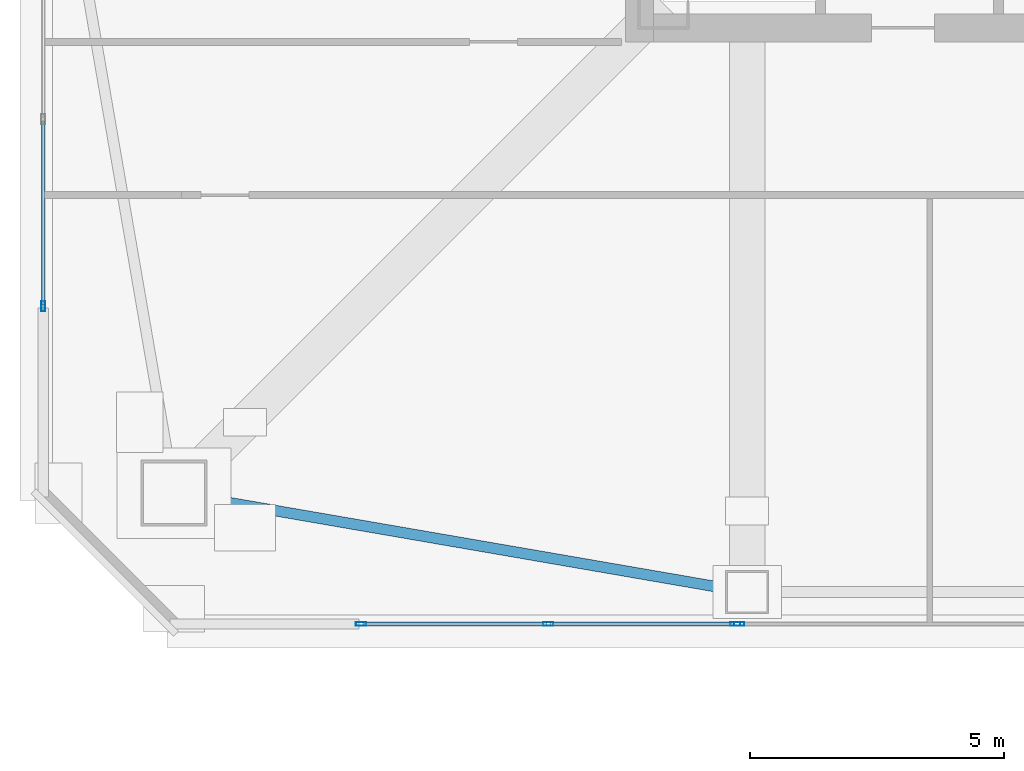
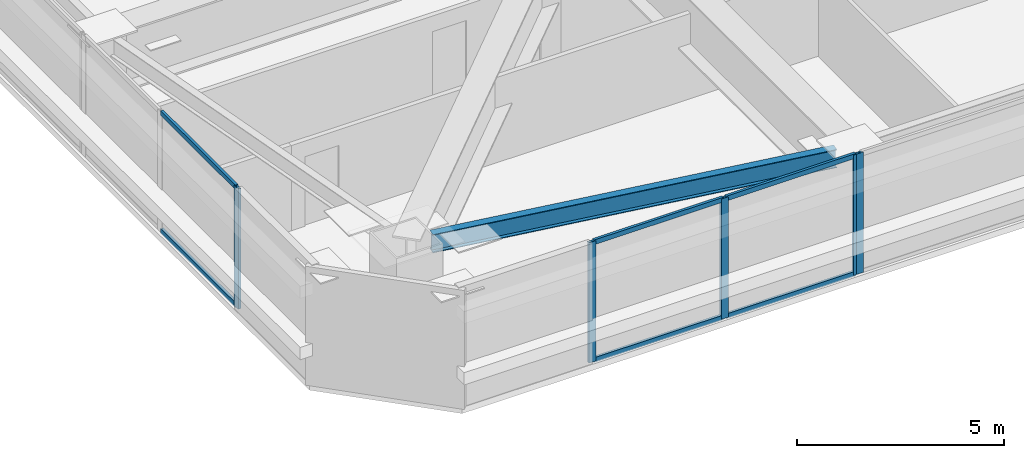
# One storey, part 3 of 42: 11 members, 1 beam, 3 elements without a shape of their own.
"""IFC4 building model written with IfcOpenShell, lengths in metres."""

from ifc_helpers import new_model, si_unit, direction, frame, origin, origin_2d, place, context, subcontext, project, spatial, hollow_rectangle, i_section, extrude, material, material_profile, profile_set, type_object, element, aggregate, save


model = new_model("IFC4")

# Units and contexts
model_context = context("Model", 3, precision=1e-05, world=origin(), true_north=direction((0.0, 1.0)))
body_context = subcontext(model_context, "Body", "Model", "MODEL_VIEW")
ifc_project = project(units=[si_unit("LENGTHUNIT", "METRE"), si_unit("AREAUNIT", "SQUARE_METRE"), si_unit("VOLUMEUNIT", "CUBIC_METRE"), si_unit("PLANEANGLEUNIT", "RADIAN"), si_unit("MASSUNIT", "GRAM", prefix="KILO")], contexts=[model_context])

# Site, building, storey
site_placement = place(None, origin())
site = spatial("IfcSite", under=ifc_project, at=site_placement, CompositionType="ELEMENT")
building_placement = place(site_placement, origin())
building = spatial("IfcBuilding", under=site, at=building_placement, Name="Tashvorn Skyway Center", CompositionType="ELEMENT")
storey_placement = place(building_placement, frame((0.0, 0.0, 153.449951171875)))
storey = spatial("IfcBuildingStorey", under=building, at=storey_placement, Name="L41", CompositionType="ELEMENT", Elevation=153.449951171875)

# Beam
ifc_material_1 = material(Name="Steel ASTM A992 Grade 50", Category="steel")
ifc_material_profile_1 = material_profile(ifc_material_1, i_section(OverallWidth=0.2109375, OverallDepth=0.5390625, WebThickness=0.01171875, FlangeThickness=0.018798828125, at=origin_2d()), Name="W21X73")
ifc_profile_set_1 = profile_set([ifc_material_profile_1], Name="Steel ASTM A992 Grade 50")
beam_type = type_object("IfcBeamType", Name="BM-SPANDREL-W21X73", PredefinedType="SPANDREL", material=ifc_profile_set_1)
beam_placement = place(storey_placement, frame((25.935546875, 15.1904296875, 3.1005859375), z_axis=(0.985432458462, -0.170067250846, 0.0), x_axis=(0.170067250846, 0.985432458462, 0.0)))
element("IfcBeam", 1, at=beam_placement, inside=storey, type_object=beam_type, Name="Tower 1 L41 Spandrel Beam 01", PredefinedType="SPANDREL", context=body_context, shape_type="SweptSolid", body=[
    extrude(i_section(OverallWidth=0.2109375, OverallDepth=0.5390625, WebThickness=0.01171875, FlangeThickness=0.018798828125, at=origin_2d()), origin(), (0.0, 0.0, 1.0), 10.402099609375),
])

# Curtain wall, member
ifc_material_2 = material(Name="Thermally broken bronze-anodized aluminium 6063-T6", Category="aluminium")
curtain_wall_type = type_object("IfcCurtainWallType", Name="CW-CW-Z3", PredefinedType="NOTDEFINED", material=ifc_material_2)
curtain_wall_1_placement = place(storey_placement, origin())
curtain_wall_1 = element("IfcCurtainWall", 2, at=curtain_wall_1_placement, inside=storey, type_object=curtain_wall_type, Name="Tower 1 L41 South Unitised Curtain Wall Glazing Group 2", PredefinedType="NOTDEFINED")
ifc_material_profile_2 = material_profile(ifc_material_2, hollow_rectangle(XDim=0.074951171875, YDim=0.199951171875, WallThickness=0.00439453125, at=origin_2d()), Name="ALU-MULL-75x200")
ifc_profile_set_2 = profile_set([ifc_material_profile_2], Name="Thermally broken bronze-anodized aluminium 6063-T6")
member_type_1 = type_object("IfcMemberType", Name="CWM-CW-Z3", PredefinedType="MULLION", material=ifc_profile_set_2)
member_1_placement = place(storey_placement, frame((36.444091796875, 12.719970703125, 0.0), z_axis=(0.0, 0.0, 1.0), x_axis=(0.0, -1.0, 0.0)))
member_1 = element("IfcMember", 3, at=member_1_placement, type_object=member_type_1, Name="CW-Z3 mullion 2", PredefinedType="MULLION", context=body_context, shape_type="SweptSolid", body=[
    extrude(hollow_rectangle(XDim=0.074951171875, YDim=0.199951171875, WallThickness=0.00439453125, at=origin_2d()), origin(), (0.0, 0.0, 1.0), 3.550048828125),
])
aggregate(curtain_wall_1, [member_1])

# Curtain wall, members
curtain_wall_2_placement = place(storey_placement, origin())
curtain_wall_2 = element("IfcCurtainWall", 4, at=curtain_wall_2_placement, inside=storey, type_object=curtain_wall_type, Name="Tower 1 L41 South Unitised Curtain Wall Glazing Group 3", PredefinedType="NOTDEFINED")
member_2_placement = place(storey_placement, frame((36.369140625, 12.719970703125, 0.0), z_axis=(0.0, 0.0, 1.0), x_axis=(0.0, -1.0, 0.0)))
member_2 = element("IfcMember", 5, at=member_2_placement, type_object=member_type_1, Name="CW-Z3 mullion 1", PredefinedType="MULLION", context=body_context, shape_type="SweptSolid", body=[
    extrude(hollow_rectangle(XDim=0.074951171875, YDim=0.199951171875, WallThickness=0.00439453125, at=origin_2d()), origin(), (0.0, 0.0, 1.0), 3.550048828125),
])
member_3_placement = place(storey_placement, frame((32.677734375, 12.719970703125, 0.0), z_axis=(0.0, 0.0, 1.0), x_axis=(0.0, -1.0, 0.0)))
member_3 = element("IfcMember", 6, at=member_3_placement, type_object=member_type_1, Name="CW-Z3 mullion 2", PredefinedType="MULLION", context=body_context, shape_type="SweptSolid", body=[
    extrude(hollow_rectangle(XDim=0.074951171875, YDim=0.199951171875, WallThickness=0.00439453125, at=origin_2d()), origin(), (0.0, 0.0, 1.0), 3.550048828125),
])
member_4_placement = place(storey_placement, frame((28.986328125, 12.719970703125, 0.0), z_axis=(0.0, 0.0, 1.0), x_axis=(0.0, -1.0, 0.0)))
member_4 = element("IfcMember", 7, at=member_4_placement, type_object=member_type_1, Name="CW-Z3 mullion 3", PredefinedType="MULLION", context=body_context, shape_type="SweptSolid", body=[
    extrude(hollow_rectangle(XDim=0.074951171875, YDim=0.199951171875, WallThickness=0.00439453125, at=origin_2d()), origin(), (0.0, 0.0, 1.0), 3.550048828125),
])

# Curtain wall, member
curtain_wall_3_placement = place(storey_placement, origin())
curtain_wall_3 = element("IfcCurtainWall", 8, at=curtain_wall_3_placement, inside=storey, type_object=curtain_wall_type, Name="Tower 1 L41 West Unitised Curtain Wall Glazing Group 1", PredefinedType="NOTDEFINED")
member_5_placement = place(storey_placement, frame((22.719970703125, 18.986328125, 0.0), z_axis=(0.0, 0.0, 1.0), x_axis=(-1.0, 0.0, 0.0)))
member_5 = element("IfcMember", 9, at=member_5_placement, type_object=member_type_1, Name="CW-Z3 mullion 1", PredefinedType="MULLION", context=body_context, shape_type="SweptSolid", body=[
    extrude(hollow_rectangle(XDim=0.074951171875, YDim=0.199951171875, WallThickness=0.00439453125, at=origin_2d()), origin(), (0.0, 0.0, 1.0), 3.550048828125),
])

# Member
ifc_material_profile_3 = material_profile(ifc_material_2, hollow_rectangle(XDim=0.074951171875, YDim=0.139892578125, WallThickness=0.004150390625, at=origin_2d()), Name="ALU-TRAN-75x140")
ifc_profile_set_3 = profile_set([ifc_material_profile_3], Name="Thermally broken bronze-anodized aluminium 6063-T6")
member_type_2 = type_object("IfcMemberType", Name="CWT-CW-Z3", PredefinedType="USERDEFINED", material=ifc_profile_set_3)
member_6_placement = place(storey_placement, frame((36.331787109375, 12.719970703125, 0.03759765625), z_axis=(-1.0, 0.0, 0.0), x_axis=(0.0, -1.0, 0.0)))
member_6 = element("IfcMember", 10, at=member_6_placement, type_object=member_type_2, Name="CW-Z3 transom 1.1", ObjectType="TRANSOM", PredefinedType="USERDEFINED", context=body_context, shape_type="SweptSolid", body=[
    extrude(hollow_rectangle(XDim=0.074951171875, YDim=0.139892578125, WallThickness=0.004150390625, at=origin_2d()), origin(), (0.0, 0.0, 1.0), 3.616455078125),
])

member_7_placement = place(storey_placement, frame((36.331787109375, 12.719970703125, 3.512451171875), z_axis=(-1.0, 0.0, 0.0), x_axis=(0.0, -1.0, 0.0)))
member_7 = element("IfcMember", 11, at=member_7_placement, type_object=member_type_2, Name="CW-Z3 transom 1.2", ObjectType="TRANSOM", PredefinedType="USERDEFINED", context=body_context, shape_type="SweptSolid", body=[
    extrude(hollow_rectangle(XDim=0.074951171875, YDim=0.139892578125, WallThickness=0.004150390625, at=origin_2d()), origin(), (0.0, 0.0, 1.0), 3.616455078125),
])

member_8_placement = place(storey_placement, frame((32.640380859375, 12.719970703125, 0.03759765625), z_axis=(-1.0, 0.0, 0.0), x_axis=(0.0, -1.0, 0.0)))
member_8 = element("IfcMember", 12, at=member_8_placement, type_object=member_type_2, Name="CW-Z3 transom 2.1", ObjectType="TRANSOM", PredefinedType="USERDEFINED", context=body_context, shape_type="SweptSolid", body=[
    extrude(hollow_rectangle(XDim=0.074951171875, YDim=0.139892578125, WallThickness=0.004150390625, at=origin_2d()), origin(), (0.0, 0.0, 1.0), 3.616455078125),
])

member_9_placement = place(storey_placement, frame((32.640380859375, 12.719970703125, 3.512451171875), z_axis=(-1.0, 0.0, 0.0), x_axis=(0.0, -1.0, 0.0)))
member_9 = element("IfcMember", 13, at=member_9_placement, type_object=member_type_2, Name="CW-Z3 transom 2.2", ObjectType="TRANSOM", PredefinedType="USERDEFINED", context=body_context, shape_type="SweptSolid", body=[
    extrude(hollow_rectangle(XDim=0.074951171875, YDim=0.139892578125, WallThickness=0.004150390625, at=origin_2d()), origin(), (0.0, 0.0, 1.0), 3.616455078125),
])

aggregate(curtain_wall_2, [member_2, member_3, member_4, member_6, member_7, member_8, member_9])

member_10_placement = place(storey_placement, frame((22.719970703125, 19.02392578125, 0.03759765625), z_axis=(0.0, 1.0, 0.0), x_axis=(-1.0, 0.0, 0.0)))
member_10 = element("IfcMember", 14, at=member_10_placement, type_object=member_type_2, Name="CW-Z3 transom 1.1", ObjectType="TRANSOM", PredefinedType="USERDEFINED", context=body_context, shape_type="SweptSolid", body=[
    extrude(hollow_rectangle(XDim=0.074951171875, YDim=0.139892578125, WallThickness=0.004150390625, at=origin_2d()), origin(), (0.0, 0.0, 1.0), 3.616455078125),
])

member_11_placement = place(storey_placement, frame((22.719970703125, 19.02392578125, 3.512451171875), z_axis=(0.0, 1.0, 0.0), x_axis=(-1.0, 0.0, 0.0)))
member_11 = element("IfcMember", 15, at=member_11_placement, type_object=member_type_2, Name="CW-Z3 transom 1.2", ObjectType="TRANSOM", PredefinedType="USERDEFINED", context=body_context, shape_type="SweptSolid", body=[
    extrude(hollow_rectangle(XDim=0.074951171875, YDim=0.139892578125, WallThickness=0.004150390625, at=origin_2d()), origin(), (0.0, 0.0, 1.0), 3.616455078125),
])

aggregate(curtain_wall_3, [member_5, member_10, member_11])

save(model, "model.ifc")
